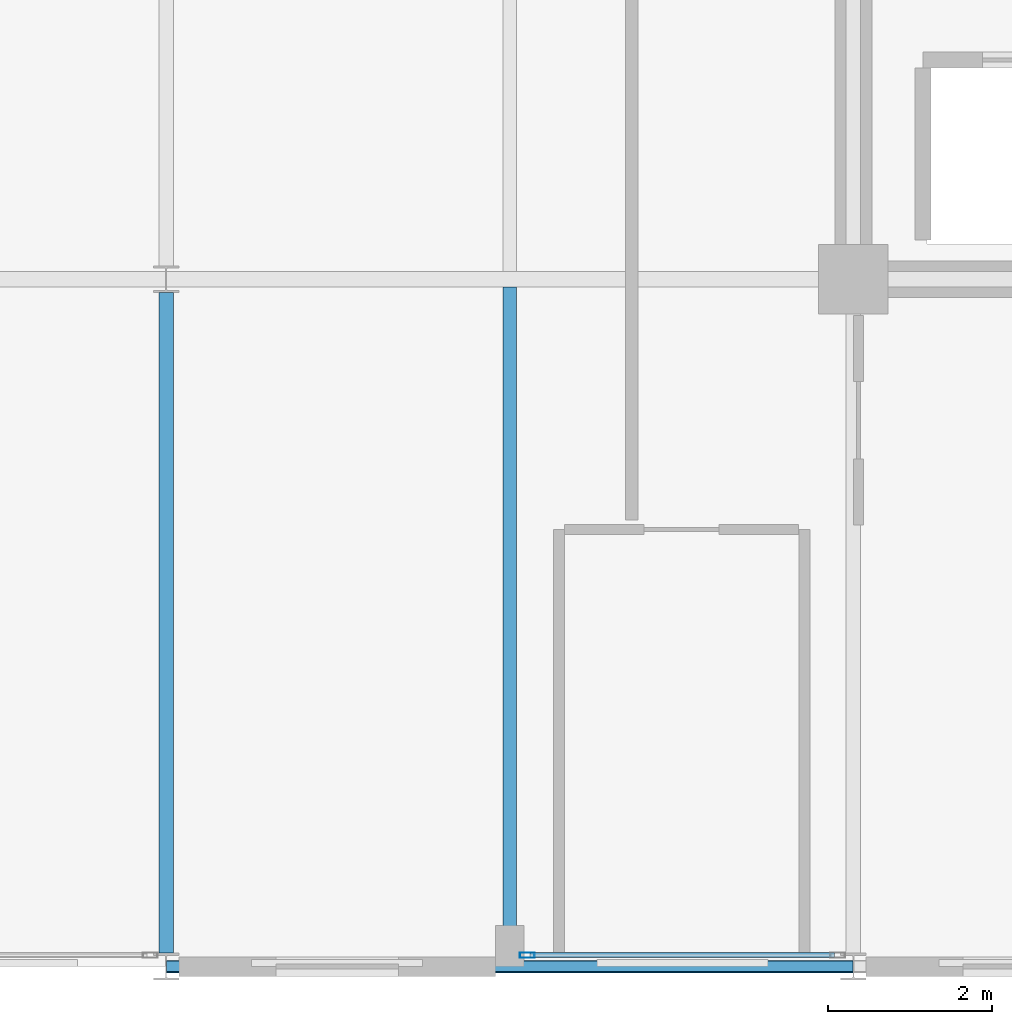
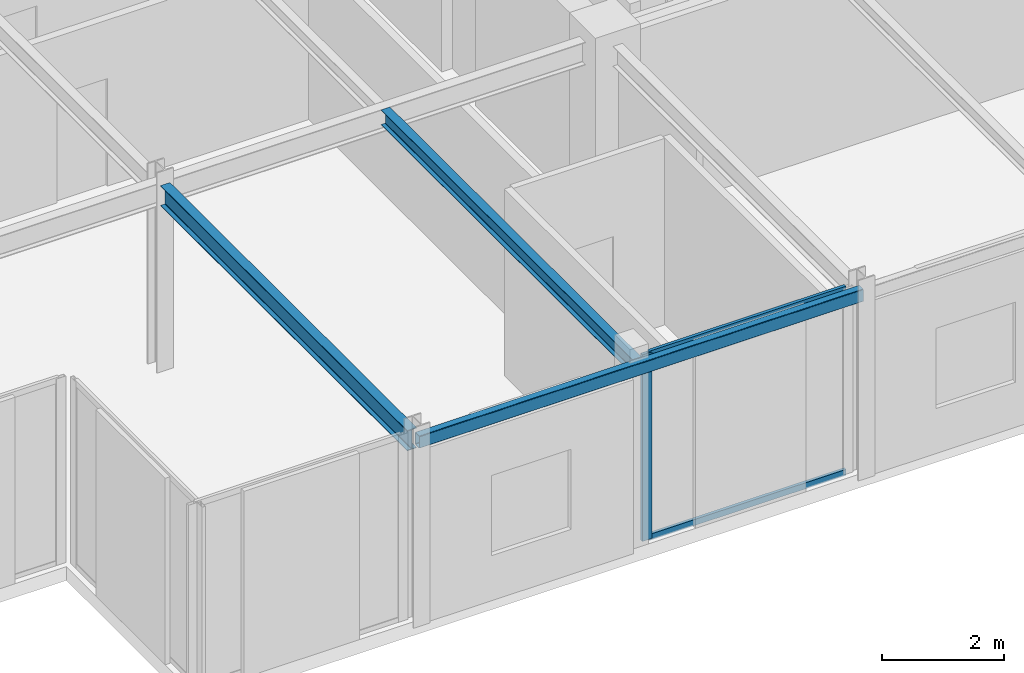
# One storey, part 4 of 26: 3 beams, 3 members, 1 element without a shape of its own.
"""IFC4 building model written with IfcOpenShell, lengths in metres."""

from ifc_helpers import new_model, si_unit, direction, frame, origin, origin_2d, place, context, subcontext, project, spatial, hollow_rectangle, i_section, extrude, material, layer, layer_set, material_profile, profile_set, type_object, element, aggregate, save


model = new_model("IFC4")

# Units and contexts
model_context = context("Model", 3, precision=1e-05, world=origin(), true_north=direction((0.0, 1.0)))
body_context = subcontext(model_context, "Body", "Model", "MODEL_VIEW")
ifc_project = project(units=[si_unit("LENGTHUNIT", "METRE"), si_unit("AREAUNIT", "SQUARE_METRE"), si_unit("VOLUMEUNIT", "CUBIC_METRE"), si_unit("PLANEANGLEUNIT", "RADIAN"), si_unit("MASSUNIT", "GRAM", prefix="KILO")], contexts=[model_context])

# Site, building, storey
site_placement = place(None, origin())
site = spatial("IfcSite", under=ifc_project, at=site_placement, CompositionType="ELEMENT")
building_placement = place(site_placement, origin())
building = spatial("IfcBuilding", under=site, at=building_placement, Name="Nerrivon Quay Data Exchange", CompositionType="ELEMENT")
storey_placement = place(building_placement, frame((0.0, 0.0, 262.199951171875)))
storey = spatial("IfcBuildingStorey", under=building, at=storey_placement, Name="L62", CompositionType="ELEMENT", Elevation=262.199951171875)

# Beams
ifc_material_1 = material(Name="Steel Grade 350", Category="steel")
ifc_material_profile_1 = material_profile(ifc_material_1, i_section(OverallWidth=0.177978515625, OverallDepth=0.406005859375, WebThickness=0.0078125, FlangeThickness=0.0126953125, FilletRadius=0.011474609375, at=origin_2d()), Name="410UB59.7")
ifc_profile_set_1 = profile_set([ifc_material_profile_1], Name="Steel Grade 350")
beam_type_1 = type_object("IfcBeamType", Name="BM-J1-410UB60", PredefinedType="JOIST", material=ifc_profile_set_1)
beam_1_placement = place(storey_placement, frame((8.39990234375, 0.16357421875, 3.52197265625), z_axis=(0.0, 1.0, 0.0), x_axis=(-1.0, 0.0, 0.0)))
element("IfcBeam", 1, at=beam_1_placement, inside=storey, type_object=beam_type_1, Name="L62 NS Girder X=8.4 (0.0..8.4)", PredefinedType="JOIST", context=body_context, shape_type="SweptSolid", body=[
    extrude(i_section(OverallWidth=0.177978515625, OverallDepth=0.406005859375, WebThickness=0.0078125, FlangeThickness=0.0126953125, FilletRadius=0.011474609375, at=origin_2d()), origin(), (0.0, 0.0, 1.0), 8.072998046875),
])
ifc_material_profile_2 = material_profile(ifc_material_1, i_section(OverallWidth=0.1650390625, OverallDepth=0.303955078125, WebThickness=0.006103515625, FlangeThickness=0.01025390625, FilletRadius=0.011474609375, at=origin_2d()), Name="310UB40.4")
ifc_profile_set_2 = profile_set([ifc_material_profile_2], Name="Steel Grade 350")
beam_type_2 = type_object("IfcBeamType", Name="BM-J6-310UB40", PredefinedType="JOIST", material=ifc_profile_set_2)
beam_2_placement = place(storey_placement, frame((12.60009765625, 0.074951171875, 3.572998046875), z_axis=(0.0, 1.0, 0.0), x_axis=(-1.0, 0.0, 0.0)))
element("IfcBeam", 2, at=beam_2_placement, inside=storey, type_object=beam_type_2, Name="L62 Secondary Joist X=12.6 (0.0..8.4)", PredefinedType="JOIST", context=body_context, shape_type="SweptSolid", body=[
    extrude(i_section(OverallWidth=0.1650390625, OverallDepth=0.303955078125, WebThickness=0.006103515625, FlangeThickness=0.01025390625, FilletRadius=0.011474609375, at=origin_2d()), origin(), (0.0, 0.0, 1.0), 8.22998046875),
])
ifc_material_2 = material(Name="Steel Grade C350L0 (350 MPa)", Category="steel")
ifc_material_profile_3 = material_profile(ifc_material_2, hollow_rectangle(XDim=0.14990234375, YDim=0.25, WallThickness=0.009033203125, InnerFilletRadius=0.013427734375, OuterFilletRadius=0.0224609375, at=origin_2d()), Name="250x150x9.0RHS")
ifc_profile_set_3 = profile_set([ifc_material_profile_3], Name="Steel Grade C350L0 (350 MPa)")
beam_type_3 = type_object("IfcBeamType", Name="BM-SP4-250x150RHS", PredefinedType="SPANDREL", material=ifc_profile_set_3)
beam_3_placement = place(storey_placement, frame((8.40771484375, 0.0, 3.60009765625), z_axis=(1.0, 0.0, 0.0), x_axis=(0.0, 1.0, 0.0)))
element("IfcBeam", 3, at=beam_3_placement, inside=storey, type_object=beam_type_3, Name="L62 EW Girder Y=0.0 (8.4..16.8)", PredefinedType="SPANDREL", context=body_context, shape_type="SweptSolid", body=[
    extrude(hollow_rectangle(XDim=0.14990234375, YDim=0.25, WallThickness=0.009033203125, InnerFilletRadius=0.013427734375, OuterFilletRadius=0.0224609375, at=origin_2d()), origin(), (0.0, 0.0, 1.0), 8.38427734375),
])

# Curtain wall, members
ifc_material_3 = material(Name="Anodised aluminium 6063-T6", Category="aluminium")
ifc_layer = layer(ifc_material_3, 0.195068359375)
ifc_layer_set = layer_set([ifc_layer], Name="Anodised aluminium 6063-T6")
curtain_wall_type = type_object("IfcCurtainWallType", Name="CW-SYS-06", PredefinedType="NOTDEFINED", material=ifc_layer_set)
curtain_wall_placement = place(storey_placement, origin())
curtain_wall = element("IfcCurtainWall", 4, at=curtain_wall_placement, inside=storey, type_object=curtain_wall_type, Name="L62 Unitised Curtain Wall 6", PredefinedType="NOTDEFINED")
ifc_material_profile_4 = material_profile(ifc_material_3, hollow_rectangle(XDim=0.06494140625, YDim=0.179931640625, WallThickness=0.00341796875, at=origin_2d()), Name="ALU-MULL-180x65")
ifc_profile_set_4 = profile_set([ifc_material_profile_4], Name="Anodised aluminium 6063-T6")
member_type_1 = type_object("IfcMemberType", Name="CWM-180x65", PredefinedType="MULLION", material=ifc_profile_set_4)
member_1_placement = place(storey_placement, frame((12.8125, 0.139892578125, 0.0), z_axis=(0.0, 0.0, 1.0), x_axis=(0.0, -1.0, 0.0)))
member_1 = element("IfcMember", 5, at=member_1_placement, type_object=member_type_1, Name="CW06 mullion 2", PredefinedType="MULLION", context=body_context, shape_type="SweptSolid", body=[
    extrude(hollow_rectangle(XDim=0.06494140625, YDim=0.179931640625, WallThickness=0.00341796875, at=origin_2d()), origin(), (0.0, 0.0, 1.0), 3.72509765625),
])
ifc_material_profile_5 = material_profile(ifc_material_3, hollow_rectangle(XDim=0.06005859375, YDim=0.1201171875, WallThickness=0.003173828125, at=origin_2d()), Name="ALU-TRAN-120x60")
ifc_profile_set_5 = profile_set([ifc_material_profile_5], Name="Anodised aluminium 6063-T6")
member_type_2 = type_object("IfcMemberType", Name="CWT-120x60", PredefinedType="USERDEFINED", material=ifc_profile_set_5)
member_2_placement = place(storey_placement, frame((16.569580078125, 0.139892578125, 0.032470703125), z_axis=(-1.0, 0.0, 0.0), x_axis=(0.0, -1.0, 0.0)))
member_2 = element("IfcMember", 6, at=member_2_placement, type_object=member_type_2, Name="CW06 transom 1.1", ObjectType="TRANSOM", PredefinedType="USERDEFINED", context=body_context, shape_type="SweptSolid", body=[
    extrude(hollow_rectangle(XDim=0.06005859375, YDim=0.1201171875, WallThickness=0.003173828125, at=origin_2d()), origin(), (0.0, 0.0, 1.0), 3.719482421875),
])
member_3_placement = place(storey_placement, frame((16.569580078125, 0.139892578125, 3.692626953125), z_axis=(-1.0, 0.0, 0.0), x_axis=(0.0, -1.0, 0.0)))
member_3 = element("IfcMember", 7, at=member_3_placement, type_object=member_type_2, Name="CW06 transom 1.2", ObjectType="TRANSOM", PredefinedType="USERDEFINED", context=body_context, shape_type="SweptSolid", body=[
    extrude(hollow_rectangle(XDim=0.06005859375, YDim=0.1201171875, WallThickness=0.003173828125, at=origin_2d()), origin(), (0.0, 0.0, 1.0), 3.719482421875),
])
aggregate(curtain_wall, [member_1, member_2, member_3])

save(model, "model.ifc")
